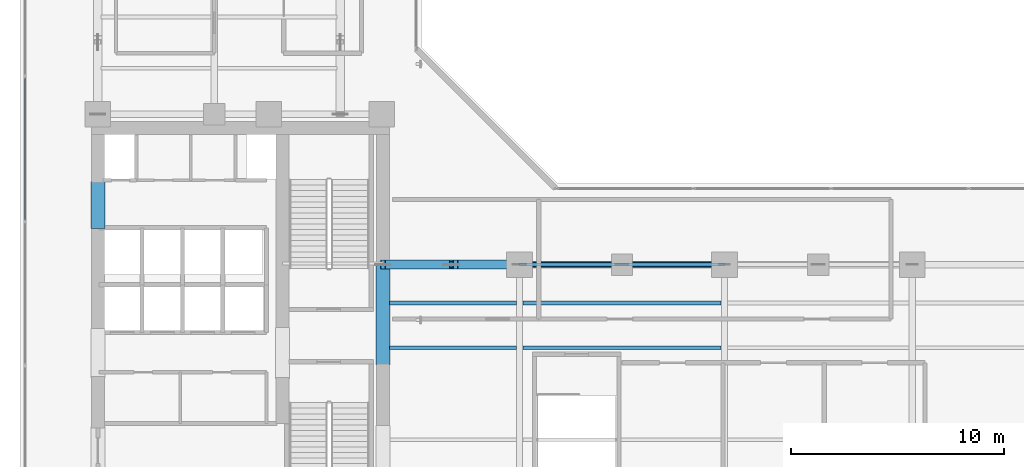
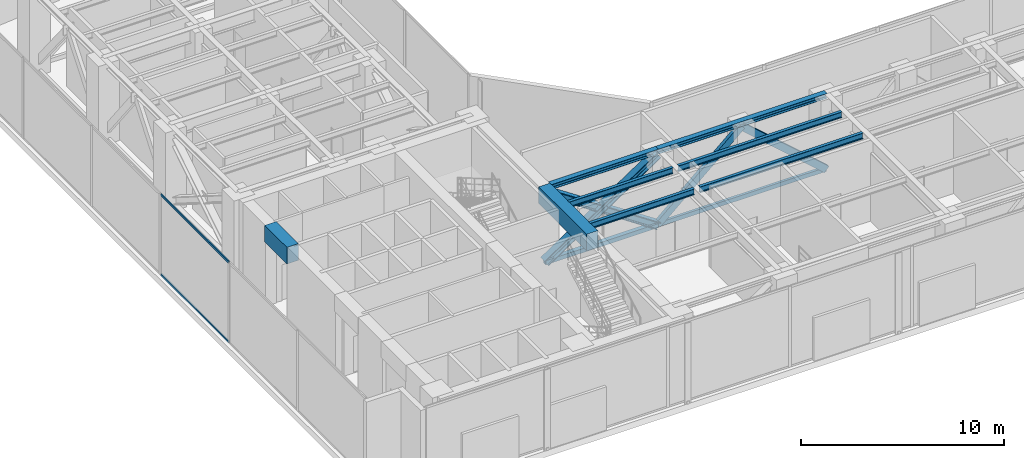
# One storey, part 8 of 36: 9 members, 8 beams, 1 element without a shape of its own.
"""IFC4 building model written with IfcOpenShell, lengths in metres."""

from ifc_helpers import new_model, si_unit, direction, frame, origin, origin_with_axes, origin_2d, place, context, subcontext, project, spatial, rectangle, hollow_rectangle, i_section, extrude, source, transform, mapped, material, layer, layer_set, material_profile, profile_set, type_object, element, aggregate, save


model = new_model("IFC4")

# Units and contexts
model_context = context("Model", 3, precision=1e-05, world=origin(), true_north=direction((0.0, 1.0)))
body_context = subcontext(model_context, "Body", "Model", "MODEL_VIEW")
ifc_project = project(units=[si_unit("LENGTHUNIT", "METRE"), si_unit("AREAUNIT", "SQUARE_METRE"), si_unit("VOLUMEUNIT", "CUBIC_METRE"), si_unit("PLANEANGLEUNIT", "RADIAN"), si_unit("MASSUNIT", "GRAM", prefix="KILO")], contexts=[model_context])

# Site, building, storey
site_placement = place(None, origin())
site = spatial("IfcSite", under=ifc_project, at=site_placement, CompositionType="ELEMENT")
building_placement = place(site_placement, origin())
building = spatial("IfcBuilding", under=site, at=building_placement, Name="Kolvaren Waterfront Exchange", CompositionType="ELEMENT")
storey_placement = place(building_placement, frame((0.0, 0.0, 199.39990234375)))
storey = spatial("IfcBuildingStorey", under=building, at=storey_placement, Name="L51", CompositionType="ELEMENT", Elevation=199.39990234375)

# Beams
ifc_material_1 = material(Name="Steel S355", Category="steel")
ifc_material_profile_1 = material_profile(ifc_material_1, i_section(OverallWidth=0.300048828125, OverallDepth=0.300048828125, WebThickness=0.010986328125, FlangeThickness=0.01904296875, FilletRadius=0.027099609375, at=origin_2d()), Name="HEB300")
ifc_profile_set_1 = profile_set([ifc_material_profile_1], Name="Steel S355")
beam_type_1 = type_object("IfcBeamType", Name="STR-BM-HEB300", PredefinedType="SPANDREL", material=ifc_profile_set_1)
beam_1_placement = place(storey_placement, frame((21.10009765625, 17.39990234375, 4.710205078125), z_axis=(1.0, 0.0, 0.0), x_axis=(0.0, 1.0, 0.0)))
element("IfcBeam", 1, at=beam_1_placement, inside=storey, type_object=beam_type_1, Name="L51 east-arm spandrel N1", PredefinedType="SPANDREL", context=body_context, shape_type="SweptSolid", body=[
    extrude(i_section(OverallWidth=0.300048828125, OverallDepth=0.300048828125, WebThickness=0.010986328125, FlangeThickness=0.01904296875, FilletRadius=0.027099609375, at=origin_2d()), origin(), (0.0, 0.0, 1.0), 6.099853515625),
])
beam_2_placement = place(storey_placement, frame((27.199951171875, 17.39990234375, 4.710205078125), z_axis=(1.0, 0.0, 0.0), x_axis=(0.0, 1.0, 0.0)))
element("IfcBeam", 2, at=beam_2_placement, inside=storey, type_object=beam_type_1, Name="L51 east-arm spandrel N2", PredefinedType="SPANDREL", context=body_context, shape_type="SweptSolid", body=[
    extrude(i_section(OverallWidth=0.300048828125, OverallDepth=0.300048828125, WebThickness=0.010986328125, FlangeThickness=0.01904296875, FilletRadius=0.027099609375, at=origin_2d()), origin(), (0.0, 0.0, 1.0), 9.60009765625),
])
ifc_material_profile_2 = material_profile(ifc_material_1, i_section(OverallWidth=0.169921875, OverallDepth=0.360107421875, WebThickness=0.008056640625, FlangeThickness=0.0126953125, FilletRadius=0.01806640625, at=origin_2d()), Name="IPE360")
ifc_profile_set_2 = profile_set([ifc_material_profile_2], Name="Steel S355")
beam_type_2 = type_object("IfcBeamType", Name="STR-BM-IPE360", PredefinedType="JOIST", material=ifc_profile_set_2)
for number, where, z_axis, x_axis, name in (
    (3, (21.10009765625, 13.5, 4.68017578125), (1.0, 0.0, 0.0), (0.0, 1.0, 0.0), "L51 east-arm composite joist 1A"),
    (4, (21.10009765625, 15.60009765625, 4.68017578125), (1.0, 0.0, 0.0), (0.0, 1.0, 0.0), "L51 east-arm composite joist 1C"),
):
    element("IfcBeam", number, at=place(storey_placement, frame(where, z_axis=z_axis, x_axis=x_axis)), inside=storey, type_object=beam_type_2, Name=name, PredefinedType="JOIST", context=body_context, shape_type="SweptSolid", body=[
        extrude(i_section(OverallWidth=0.169921875, OverallDepth=0.360107421875, WebThickness=0.008056640625, FlangeThickness=0.0126953125, FilletRadius=0.01806640625, at=origin_2d()), origin(), (0.0, 0.0, 1.0), 5.947998046875),
    ])
for number, where, z_axis, x_axis, name in (
    (5, (27.35205078125, 13.5, 4.68017578125), (1.0, 0.0, 0.0), (0.0, 1.0, 0.0), "L51 east-arm composite joist 2A"),
    (6, (27.35205078125, 15.60009765625, 4.68017578125), (1.0, 0.0, 0.0), (0.0, 1.0, 0.0), "L51 east-arm composite joist 2C"),
):
    element("IfcBeam", number, at=place(storey_placement, frame(where, z_axis=z_axis, x_axis=x_axis)), inside=storey, type_object=beam_type_2, Name=name, PredefinedType="JOIST", context=body_context, shape_type="SweptSolid", body=[
        extrude(i_section(OverallWidth=0.169921875, OverallDepth=0.360107421875, WebThickness=0.008056640625, FlangeThickness=0.0126953125, FilletRadius=0.01806640625, at=origin_2d()), origin(), (0.0, 0.0, 1.0), 9.2958984375),
    ])

# Members
ifc_material_2 = material(Name="Steel S460", Category="steel")
ifc_material_profile_3 = material_profile(ifc_material_2, i_section(OverallWidth=0.406005859375, OverallDepth=0.416015625, WebThickness=0.029052734375, FlangeThickness=0.0419921875, FilletRadius=0.014892578125, at=origin_2d()), Name="HD400x382")
ifc_profile_set_3 = profile_set([ifc_material_profile_3], Name="Steel S460")
member_type_1 = type_object("IfcMemberType", Name="STR-BR-HD382", PredefinedType="BRACE", material=ifc_profile_set_3)
member_1_placement = place(storey_placement, frame((20.800048828125, 17.39990234375, 0.25), z_axis=(0.832445808378, 0.0, 0.554106466407), x_axis=(0.0, 1.0, 0.0)))
element("IfcMember", 7, at=member_1_placement, inside=storey, type_object=member_type_1, Name="L51 outrigger diagonal OA2.1", PredefinedType="BRACE", context=body_context, shape_type="SweptSolid", body=[
    extrude(i_section(OverallWidth=0.406005859375, OverallDepth=0.416015625, WebThickness=0.029052734375, FlangeThickness=0.0419921875, FilletRadius=0.014892578125, at=origin_2d()), origin(), (0.0, 0.0, 1.0), 7.68798828125),
])
member_2_placement = place(storey_placement, frame((27.199951171875, 17.39990234375, 0.25), z_axis=(-0.832446095636, 0.0, 0.554106034853), x_axis=(0.0, -1.0, 0.0)))
element("IfcMember", 8, at=member_2_placement, inside=storey, type_object=member_type_1, Name="L51 outrigger split diagonal OA2.2A", PredefinedType="BRACE", context=body_context, shape_type="SweptSolid", body=[
    extrude(i_section(OverallWidth=0.406005859375, OverallDepth=0.416015625, WebThickness=0.029052734375, FlangeThickness=0.0419921875, FilletRadius=0.014892578125, at=origin_2d()), origin(), (0.0, 0.0, 1.0), 3.604248046875),
])
member_3_placement = place(storey_placement, frame((23.80029296875, 17.39990234375, 2.51318359375), z_axis=(-0.832477341064, 0.0, 0.554059091266), x_axis=(0.0, -1.0, 0.0)))
element("IfcMember", 9, at=member_3_placement, inside=storey, type_object=member_type_1, Name="L51 outrigger split diagonal OA2.2B", PredefinedType="BRACE", context=body_context, shape_type="SweptSolid", body=[
    extrude(i_section(OverallWidth=0.406005859375, OverallDepth=0.416015625, WebThickness=0.029052734375, FlangeThickness=0.0419921875, FilletRadius=0.014892578125, at=origin_2d()), origin(), (0.0, 0.0, 1.0), 3.60400390625),
])
ifc_material_profile_4 = material_profile(ifc_material_2, hollow_rectangle(XDim=0.14990234375, YDim=0.25, WallThickness=0.010009765625, at=origin_2d()), Name="RHS250x150x10")
ifc_profile_set_4 = profile_set([ifc_material_profile_4], Name="Steel S460")
member_type_2 = type_object("IfcMemberType", Name="STR-BR-RHS250", PredefinedType="CHORD", material=ifc_profile_set_4)
member_4_placement = place(storey_placement, frame((27.199951171875, 17.39990234375, 0.25), z_axis=(1.0, 0.0, 0.0), x_axis=(0.0, 1.0, 0.0)))
element("IfcMember", 10, at=member_4_placement, inside=storey, type_object=member_type_2, Name="L51 belt-truss bottom chord BT1", PredefinedType="CHORD", context=body_context, shape_type="SweptSolid", body=[
    extrude(hollow_rectangle(XDim=0.14990234375, YDim=0.25, WallThickness=0.010009765625, at=origin_2d()), origin(), (0.0, 0.0, 1.0), 9.60009765625),
])
ifc_material_profile_5 = material_profile(ifc_material_2, hollow_rectangle(XDim=0.199951171875, YDim=0.39990234375, WallThickness=0.01611328125, at=origin_2d()), Name="RHS400x200x16")
ifc_profile_set_5 = profile_set([ifc_material_profile_5], Name="Steel S460")
member_type_3 = type_object("IfcMemberType", Name="STR-BR-RHS400", PredefinedType="BRACE", material=ifc_profile_set_5)
for number, where, z_axis, x_axis, name in (
    (11, (27.199951171875, 17.39990234375, 0.25), (0.747927500504, 0.0, 0.663780426036), (0.0, 1.0, 0.0), "L51 belt-truss chevron brace BT1L"),
    (12, (36.800048828125, 17.39990234375, 0.25), (-0.747927500504, 0.0, 0.663780426036), (0.0, -1.0, 0.0), "L51 belt-truss chevron brace BT1R"),
):
    element("IfcMember", number, at=place(storey_placement, frame(where, z_axis=z_axis, x_axis=x_axis)), inside=storey, type_object=member_type_3, Name=name, PredefinedType="BRACE", context=body_context, shape_type="SweptSolid", body=[
        extrude(hollow_rectangle(XDim=0.199951171875, YDim=0.39990234375, WallThickness=0.01611328125, at=origin_2d()), origin(), (0.0, 0.0, 1.0), 6.417724609375),
    ])
ifc_material_profile_6 = material_profile(ifc_material_1, hollow_rectangle(XDim=0.25, YDim=0.25, WallThickness=0.012451171875, at=origin_2d()), Name="SHS250x250x12.5")
ifc_profile_set_6 = profile_set([ifc_material_profile_6], Name="Steel S355")
member_type_4 = type_object("IfcMemberType", Name="STR-BR-SHS250", PredefinedType="CHORD", material=ifc_profile_set_6)
member_5_placement = place(storey_placement, frame((20.800048828125, 17.39990234375, 0.25), z_axis=(1.0, 0.0, 0.0), x_axis=(0.0, 1.0, 0.0)))
element("IfcMember", 13, at=member_5_placement, inside=storey, type_object=member_type_4, Name="L51 outrigger bottom chord OA2", PredefinedType="CHORD", context=body_context, shape_type="SweptSolid", body=[
    extrude(hollow_rectangle(XDim=0.25, YDim=0.25, WallThickness=0.012451171875, at=origin_2d()), origin(), (0.0, 0.0, 1.0), 6.39990234375),
])

# Beams
ifc_material_3 = material(Name="Concrete C60/75", Category="concrete")
ifc_material_profile_7 = material_profile(ifc_material_3, rectangle(XDim=0.64990234375, YDim=1.0, at=origin_2d()), Name="RC-CB-1000x650")
ifc_profile_set_7 = profile_set([ifc_material_profile_7], Name="Concrete C60/75")
beam_type_3 = type_object("IfcBeamType", Name="STR-CB-1000", PredefinedType="SPANDREL", material=ifc_profile_set_7)
beam_3_placement = place(storey_placement, frame((20.800048828125, 12.68994140625, 4.360107421875), z_axis=(0.0, 1.0, 0.0), x_axis=(-1.0, 0.0, 0.0)))
element("IfcBeam", 14, at=beam_3_placement, inside=storey, type_object=beam_type_3, Name="L51 core coupling beam 2", PredefinedType="SPANDREL", context=body_context, shape_type="SweptSolid", body=[
    extrude(rectangle(XDim=0.64990234375, YDim=1.0, at=origin_2d()), origin(), (0.0, 0.0, 1.0), 4.719970703125),
])
beam_4_placement = place(storey_placement, frame((7.449951171875, 19.10009765625, 4.360107421875), z_axis=(0.0, 1.0, 0.0), x_axis=(-1.0, 0.0, 0.0)))
element("IfcBeam", 15, at=beam_4_placement, inside=storey, type_object=beam_type_3, Name="L51 core coupling beam 5", PredefinedType="SPANDREL", context=body_context, shape_type="SweptSolid", body=[
    extrude(rectangle(XDim=0.64990234375, YDim=1.0, at=origin_2d()), origin(), (0.0, 0.0, 1.0), 2.199951171875),
])

# Curtain wall, members
ifc_material_4 = material(Name="Anodised dark bronze spandrel aluminium", Category="aluminium")
ifc_layer = layer(ifc_material_4, 0.219970703125, Name="Anodised dark bronze spandrel aluminium")
ifc_layer_set = layer_set([ifc_layer], Name="Anodised dark bronze spandrel aluminium")
curtain_wall_type = type_object("IfcCurtainWallType", Name="ARC-CW-SYS6", PredefinedType="USERDEFINED", material=ifc_layer_set)
curtain_wall_placement = place(storey_placement, origin())
curtain_wall = element("IfcCurtainWall", 16, at=curtain_wall_placement, inside=storey, type_object=curtain_wall_type, Name="L51 stick curtain wall CW6 (CW-L51-W)", ObjectType="STICK CURTAIN WALL", PredefinedType="USERDEFINED")
ifc_material_5 = material(Name="Anodised bronze aluminium 6063-T6", Category="aluminium")
ifc_material_profile_8 = material_profile(ifc_material_5, hollow_rectangle(XDim=0.06494140625, YDim=0.1298828125, WallThickness=0.00390625, at=origin_2d()), Name="ALU-TRN-130x65x4")
ifc_profile_set_8 = profile_set([ifc_material_profile_8], Name="Anodised bronze aluminium 6063-T6")
member_type_5 = type_object("IfcMemberType", Name="ARC-CWT-130", PredefinedType="USERDEFINED", material=ifc_profile_set_8)
shared_shape = source(origin_with_axes(), body_context, "Body", "SweptSolid", [
    extrude(hollow_rectangle(XDim=0.06494140625, YDim=0.1298828125, WallThickness=0.00390625, at=origin_2d()), origin(), (0.0, 0.0, 1.0), 6.691650390625),
])
member_6_placement = place(storey_placement, frame((4.0400390625, 19.470947265625, 0.03271484375), z_axis=(0.0, 1.0, 0.0), x_axis=(-1.0, 0.0, 0.0)))
member_6 = element("IfcMember", 17, at=member_6_placement, type_object=member_type_5, Name="CW6 transom 3.1", ObjectType="TRANSOM", PredefinedType="USERDEFINED", context=body_context, shape_type="MappedRepresentation", body=[
    mapped(shared_shape, transform((0.0, 0.0, 0.0), x_axis=(1.0, 0.0, 0.0), y_axis=(0.0, 1.0, 0.0), z_axis=(0.0, 0.0, 1.0), scale=1.0)),
])
member_7_placement = place(storey_placement, frame((4.0400390625, 19.470947265625, 4.82763671875), z_axis=(0.0, 1.0, 0.0), x_axis=(-1.0, 0.0, 0.0)))
member_7 = element("IfcMember", 18, at=member_7_placement, type_object=member_type_5, Name="CW6 transom 3.2", ObjectType="TRANSOM", PredefinedType="USERDEFINED", context=body_context, shape_type="MappedRepresentation", body=[
    mapped(shared_shape, transform((0.0, 0.0, 0.0), x_axis=(1.0, 0.0, 0.0), y_axis=(0.0, 1.0, 0.0), z_axis=(0.0, 0.0, 1.0), scale=1.0)),
])
aggregate(curtain_wall, [member_6, member_7])

save(model, "model.ifc")
